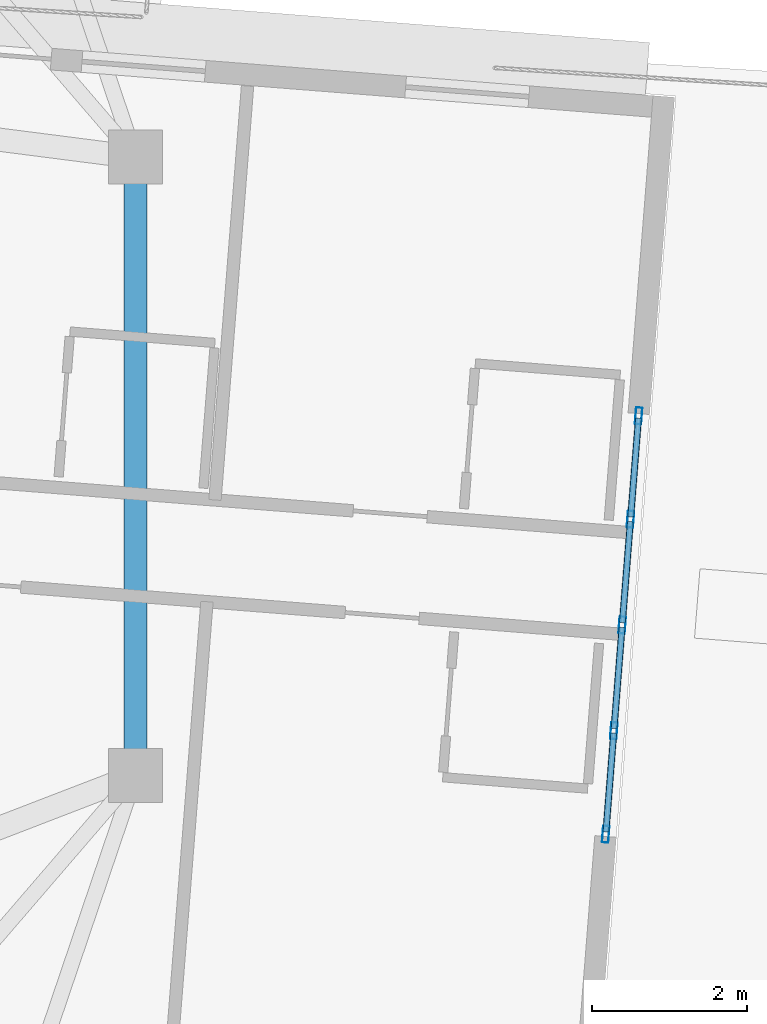
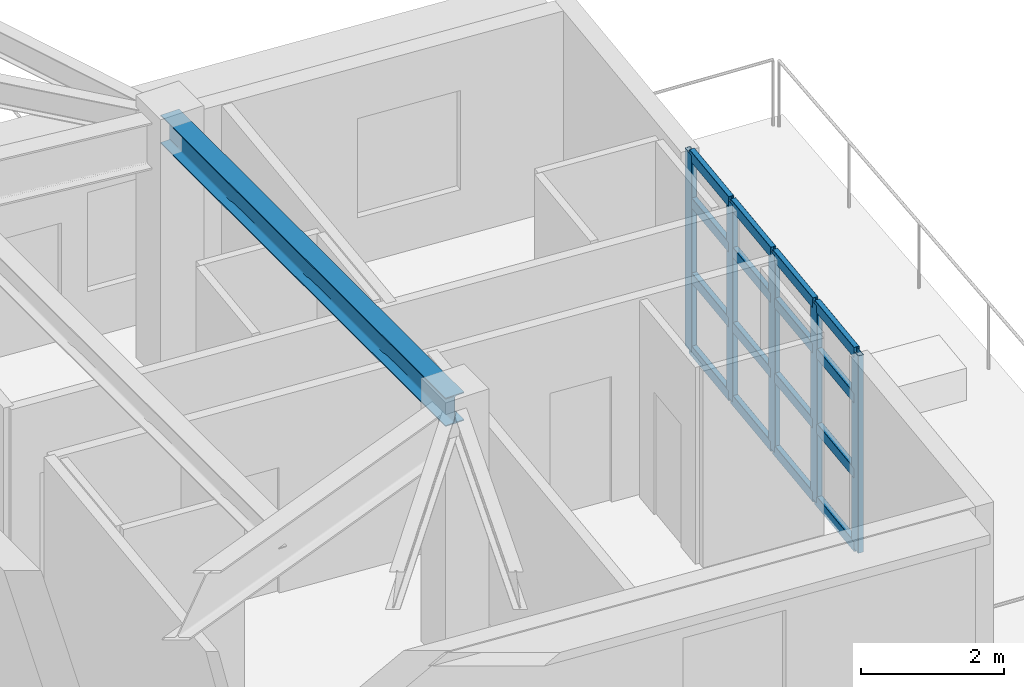
# One storey, part 6 of 23: 21 members, 1 beam, 1 element without a shape of its own.
"""IFC4 building model written with IfcOpenShell, lengths in metres."""

from ifc_helpers import new_model, si_unit, direction, frame, origin, origin_2d, place, context, subcontext, project, spatial, hollow_rectangle, i_section, extrude, material, layer, layer_set, material_profile, profile_set, type_object, element, aggregate, save


model = new_model("IFC4")

# Units and contexts
model_context = context("Model", 3, precision=1e-05, world=origin(), true_north=direction((0.0, 1.0)))
body_context = subcontext(model_context, "Body", "Model", "MODEL_VIEW")
ifc_project = project(units=[si_unit("LENGTHUNIT", "METRE"), si_unit("AREAUNIT", "SQUARE_METRE"), si_unit("VOLUMEUNIT", "CUBIC_METRE"), si_unit("PLANEANGLEUNIT", "RADIAN"), si_unit("MASSUNIT", "GRAM", prefix="KILO")], contexts=[model_context])

# Site, building, storey
site_placement = place(None, origin())
site = spatial("IfcSite", under=ifc_project, at=site_placement, CompositionType="ELEMENT")
building_placement = place(site_placement, origin())
building = spatial("IfcBuilding", under=site, at=building_placement, Name="Qingluan Cross Belvedere", CompositionType="ELEMENT")
storey_placement = place(building_placement, frame((0.0, 0.0, 245.39990234375)))
storey = spatial("IfcBuildingStorey", under=building, at=storey_placement, Name="L61", CompositionType="ELEMENT", Elevation=245.39990234375)

# Curtain wall, members
ifc_material_1 = material(Name="Thermally broken aluminium and Low-E glass", Category="aluminium")
ifc_layer = layer(ifc_material_1, 0.219970703125, Name="UnitisedCW_SkyLobbyHigh")
ifc_layer_set = layer_set([ifc_layer], Name="Thermally broken aluminium and Low-E glass")
curtain_wall_type = type_object("IfcCurtainWallType", Name="UnitisedCW_SkyLobbyHigh", PredefinedType="USERDEFINED", material=ifc_layer_set)
curtain_wall_placement = place(storey_placement, origin())
curtain_wall = element("IfcCurtainWall", 1, at=curtain_wall_placement, inside=storey, type_object=curtain_wall_type, Name="UnitisedCW_SkyLobbyHigh run env:cw:L61:E", ObjectType="UNITISED CURTAIN WALL", PredefinedType="USERDEFINED")
ifc_material_2 = material(Name="Aluminium alloy 6063-T6", Category="aluminium")
ifc_material_profile_1 = material_profile(ifc_material_2, hollow_rectangle(XDim=0.0849609375, YDim=0.219970703125, WallThickness=0.0048828125, InnerFilletRadius=0.0048828125, OuterFilletRadius=0.010009765625, at=origin_2d()), Name="CWM220x85x5")
ifc_profile_set_1 = profile_set([ifc_material_profile_1], Name="Aluminium alloy 6063-T6")
member_type_1 = type_object("IfcMemberType", Name="CWMullion_220", PredefinedType="MULLION", material=ifc_profile_set_1)
member_1_placement = place(storey_placement, frame((25.886474609375, -4.759765625, 0.0), z_axis=(0.0, 0.0, 1.0), x_axis=(-0.996917118636, 0.078461828752, 0.0)))
member_1 = element("IfcMember", 2, at=member_1_placement, type_object=member_type_1, Name="CW-S2 mullion 1", PredefinedType="MULLION", context=body_context, shape_type="SweptSolid", body=[
    extrude(hollow_rectangle(XDim=0.0849609375, YDim=0.219970703125, WallThickness=0.0048828125, InnerFilletRadius=0.0048828125, OuterFilletRadius=0.010009765625, at=origin_2d()), origin(), (0.0, 0.0, 1.0), 3.380126953125),
])
member_2_placement = place(storey_placement, frame((25.99169921875, -3.421875, 0.0), z_axis=(0.0, 0.0, 1.0), x_axis=(-0.996917118636, 0.078461828752, 0.0)))
member_2 = element("IfcMember", 3, at=member_2_placement, type_object=member_type_1, Name="CW-S2 mullion 2", PredefinedType="MULLION", context=body_context, shape_type="SweptSolid", body=[
    extrude(hollow_rectangle(XDim=0.0849609375, YDim=0.219970703125, WallThickness=0.0048828125, InnerFilletRadius=0.0048828125, OuterFilletRadius=0.010009765625, at=origin_2d()), origin(), (0.0, 0.0, 1.0), 3.380126953125),
])
member_3_placement = place(storey_placement, frame((26.099365234375, -2.053955078125, 0.0), z_axis=(0.0, 0.0, 1.0), x_axis=(-0.996917118636, 0.078461828752, 0.0)))
member_3 = element("IfcMember", 4, at=member_3_placement, type_object=member_type_1, Name="CW-S2 mullion 3", PredefinedType="MULLION", context=body_context, shape_type="SweptSolid", body=[
    extrude(hollow_rectangle(XDim=0.0849609375, YDim=0.219970703125, WallThickness=0.0048828125, InnerFilletRadius=0.0048828125, OuterFilletRadius=0.010009765625, at=origin_2d()), origin(), (0.0, 0.0, 1.0), 3.380126953125),
])
member_4_placement = place(storey_placement, frame((26.20703125, -0.686279296875, 0.0), z_axis=(0.0, 0.0, 1.0), x_axis=(-0.996917118636, 0.078461828752, 0.0)))
member_4 = element("IfcMember", 5, at=member_4_placement, type_object=member_type_1, Name="CW-S2 mullion 4", PredefinedType="MULLION", context=body_context, shape_type="SweptSolid", body=[
    extrude(hollow_rectangle(XDim=0.0849609375, YDim=0.219970703125, WallThickness=0.0048828125, InnerFilletRadius=0.0048828125, OuterFilletRadius=0.010009765625, at=origin_2d()), origin(), (0.0, 0.0, 1.0), 3.380126953125),
])
member_5_placement = place(storey_placement, frame((26.312255859375, 0.651611328125, 0.0), z_axis=(0.0, 0.0, 1.0), x_axis=(-0.996917118636, 0.078461828752, 0.0)))
member_5 = element("IfcMember", 6, at=member_5_placement, type_object=member_type_1, Name="CW-S2 mullion 5", PredefinedType="MULLION", context=body_context, shape_type="SweptSolid", body=[
    extrude(hollow_rectangle(XDim=0.0849609375, YDim=0.219970703125, WallThickness=0.0048828125, InnerFilletRadius=0.0048828125, OuterFilletRadius=0.010009765625, at=origin_2d()), origin(), (0.0, 0.0, 1.0), 3.380126953125),
])
ifc_material_3 = material(Name="Aluminium alloy 6063-T6", Category="aluminium")
ifc_material_profile_2 = material_profile(ifc_material_3, hollow_rectangle(XDim=0.0849609375, YDim=0.179931640625, WallThickness=0.00390625, InnerFilletRadius=0.00390625, OuterFilletRadius=0.008056640625, at=origin_2d()), Name="CWT180x85x4")
ifc_profile_set_2 = profile_set([ifc_material_profile_2], Name="Aluminium alloy 6063-T6")
member_type_2 = type_object("IfcMemberType", Name="CWTransom_180", PredefinedType="USERDEFINED", material=ifc_profile_set_2)
member_6_placement = place(storey_placement, frame((25.888671875, -4.729736328125, 0.030029296875), z_axis=(0.078458445574, 0.996917384901, 0.0), x_axis=(-0.996917384901, 0.078458445574, 0.0)))
member_6 = element("IfcMember", 7, at=member_6_placement, type_object=member_type_2, Name="CW-S2 transom 1.1", ObjectType="TRANSOM", PredefinedType="USERDEFINED", context=body_context, shape_type="SweptSolid", body=[
    extrude(hollow_rectangle(XDim=0.0849609375, YDim=0.179931640625, WallThickness=0.00390625, InnerFilletRadius=0.00390625, OuterFilletRadius=0.008056640625, at=origin_2d()), origin(), (0.0, 0.0, 1.0), 1.281982421875),
])
member_7_placement = place(storey_placement, frame((25.888671875, -4.729736328125, 1.2841796875), z_axis=(0.078458445574, 0.996917384901, 0.0), x_axis=(-0.996917384901, 0.078458445574, 0.0)))
member_7 = element("IfcMember", 8, at=member_7_placement, type_object=member_type_2, Name="CW-S2 transom 1.2", ObjectType="TRANSOM", PredefinedType="USERDEFINED", context=body_context, shape_type="SweptSolid", body=[
    extrude(hollow_rectangle(XDim=0.0849609375, YDim=0.179931640625, WallThickness=0.00390625, InnerFilletRadius=0.00390625, OuterFilletRadius=0.008056640625, at=origin_2d()), origin(), (0.0, 0.0, 1.0), 1.281982421875),
])
member_8_placement = place(storey_placement, frame((25.888671875, -4.729736328125, 2.569091796875), z_axis=(0.078458445574, 0.996917384901, 0.0), x_axis=(-0.996917384901, 0.078458445574, 0.0)))
member_8 = element("IfcMember", 9, at=member_8_placement, type_object=member_type_2, Name="CW-S2 transom 1.3", ObjectType="TRANSOM", PredefinedType="USERDEFINED", context=body_context, shape_type="SweptSolid", body=[
    extrude(hollow_rectangle(XDim=0.0849609375, YDim=0.179931640625, WallThickness=0.00390625, InnerFilletRadius=0.00390625, OuterFilletRadius=0.008056640625, at=origin_2d()), origin(), (0.0, 0.0, 1.0), 1.281982421875),
])
member_9_placement = place(storey_placement, frame((25.888671875, -4.729736328125, 3.35009765625), z_axis=(0.078458445574, 0.996917384901, 0.0), x_axis=(-0.996917384901, 0.078458445574, 0.0)))
member_9 = element("IfcMember", 10, at=member_9_placement, type_object=member_type_2, Name="CW-S2 transom 1.4", ObjectType="TRANSOM", PredefinedType="USERDEFINED", context=body_context, shape_type="SweptSolid", body=[
    extrude(hollow_rectangle(XDim=0.0849609375, YDim=0.179931640625, WallThickness=0.00390625, InnerFilletRadius=0.00390625, OuterFilletRadius=0.008056640625, at=origin_2d()), origin(), (0.0, 0.0, 1.0), 1.281982421875),
])
member_10_placement = place(storey_placement, frame((25.993896484375, -3.391845703125, 0.030029296875), z_axis=(0.078532142553, 0.996911582131, 0.0), x_axis=(-0.996911582131, 0.078532142553, 0.0)))
member_10 = element("IfcMember", 11, at=member_10_placement, type_object=member_type_2, Name="CW-S2 transom 2.1", ObjectType="TRANSOM", PredefinedType="USERDEFINED", context=body_context, shape_type="SweptSolid", body=[
    extrude(hollow_rectangle(XDim=0.0849609375, YDim=0.179931640625, WallThickness=0.00390625, InnerFilletRadius=0.00390625, OuterFilletRadius=0.008056640625, at=origin_2d()), origin(), (0.0, 0.0, 1.0), 1.31201171875),
])
member_11_placement = place(storey_placement, frame((25.993896484375, -3.391845703125, 1.2841796875), z_axis=(0.078532142553, 0.996911582131, 0.0), x_axis=(-0.996911582131, 0.078532142553, 0.0)))
member_11 = element("IfcMember", 12, at=member_11_placement, type_object=member_type_2, Name="CW-S2 transom 2.2", ObjectType="TRANSOM", PredefinedType="USERDEFINED", context=body_context, shape_type="SweptSolid", body=[
    extrude(hollow_rectangle(XDim=0.0849609375, YDim=0.179931640625, WallThickness=0.00390625, InnerFilletRadius=0.00390625, OuterFilletRadius=0.008056640625, at=origin_2d()), origin(), (0.0, 0.0, 1.0), 1.31201171875),
])
member_12_placement = place(storey_placement, frame((25.993896484375, -3.391845703125, 2.569091796875), z_axis=(0.078532142553, 0.996911582131, 0.0), x_axis=(-0.996911582131, 0.078532142553, 0.0)))
member_12 = element("IfcMember", 13, at=member_12_placement, type_object=member_type_2, Name="CW-S2 transom 2.3", ObjectType="TRANSOM", PredefinedType="USERDEFINED", context=body_context, shape_type="SweptSolid", body=[
    extrude(hollow_rectangle(XDim=0.0849609375, YDim=0.179931640625, WallThickness=0.00390625, InnerFilletRadius=0.00390625, OuterFilletRadius=0.008056640625, at=origin_2d()), origin(), (0.0, 0.0, 1.0), 1.31201171875),
])
member_13_placement = place(storey_placement, frame((25.993896484375, -3.391845703125, 3.35009765625), z_axis=(0.078532142553, 0.996911582131, 0.0), x_axis=(-0.996911582131, 0.078532142553, 0.0)))
member_13 = element("IfcMember", 14, at=member_13_placement, type_object=member_type_2, Name="CW-S2 transom 2.4", ObjectType="TRANSOM", PredefinedType="USERDEFINED", context=body_context, shape_type="SweptSolid", body=[
    extrude(hollow_rectangle(XDim=0.0849609375, YDim=0.179931640625, WallThickness=0.00390625, InnerFilletRadius=0.00390625, OuterFilletRadius=0.008056640625, at=origin_2d()), origin(), (0.0, 0.0, 1.0), 1.31201171875),
])
member_14_placement = place(storey_placement, frame((26.1015625, -2.024169921875, 0.030029296875), z_axis=(0.078517575934, 0.996912729515, 0.0), x_axis=(-0.996912729515, 0.078517575934, 0.0)))
member_14 = element("IfcMember", 15, at=member_14_placement, type_object=member_type_2, Name="CW-S2 transom 3.1", ObjectType="TRANSOM", PredefinedType="USERDEFINED", context=body_context, shape_type="SweptSolid", body=[
    extrude(hollow_rectangle(XDim=0.0849609375, YDim=0.179931640625, WallThickness=0.00390625, InnerFilletRadius=0.00390625, OuterFilletRadius=0.008056640625, at=origin_2d()), origin(), (0.0, 0.0, 1.0), 1.312255859375),
])
member_15_placement = place(storey_placement, frame((26.1015625, -2.024169921875, 1.2841796875), z_axis=(0.078517575934, 0.996912729515, 0.0), x_axis=(-0.996912729515, 0.078517575934, 0.0)))
member_15 = element("IfcMember", 16, at=member_15_placement, type_object=member_type_2, Name="CW-S2 transom 3.2", ObjectType="TRANSOM", PredefinedType="USERDEFINED", context=body_context, shape_type="SweptSolid", body=[
    extrude(hollow_rectangle(XDim=0.0849609375, YDim=0.179931640625, WallThickness=0.00390625, InnerFilletRadius=0.00390625, OuterFilletRadius=0.008056640625, at=origin_2d()), origin(), (0.0, 0.0, 1.0), 1.312255859375),
])
member_16_placement = place(storey_placement, frame((26.1015625, -2.024169921875, 2.569091796875), z_axis=(0.078517575934, 0.996912729515, 0.0), x_axis=(-0.996912729515, 0.078517575934, 0.0)))
member_16 = element("IfcMember", 17, at=member_16_placement, type_object=member_type_2, Name="CW-S2 transom 3.3", ObjectType="TRANSOM", PredefinedType="USERDEFINED", context=body_context, shape_type="SweptSolid", body=[
    extrude(hollow_rectangle(XDim=0.0849609375, YDim=0.179931640625, WallThickness=0.00390625, InnerFilletRadius=0.00390625, OuterFilletRadius=0.008056640625, at=origin_2d()), origin(), (0.0, 0.0, 1.0), 1.312255859375),
])
member_17_placement = place(storey_placement, frame((26.1015625, -2.024169921875, 3.35009765625), z_axis=(0.078517575934, 0.996912729515, 0.0), x_axis=(-0.996912729515, 0.078517575934, 0.0)))
member_17 = element("IfcMember", 18, at=member_17_placement, type_object=member_type_2, Name="CW-S2 transom 3.4", ObjectType="TRANSOM", PredefinedType="USERDEFINED", context=body_context, shape_type="SweptSolid", body=[
    extrude(hollow_rectangle(XDim=0.0849609375, YDim=0.179931640625, WallThickness=0.00390625, InnerFilletRadius=0.00390625, OuterFilletRadius=0.008056640625, at=origin_2d()), origin(), (0.0, 0.0, 1.0), 1.312255859375),
])
member_18_placement = place(storey_placement, frame((26.209228515625, -0.65625, 0.030029296875), z_axis=(0.078473343422, 0.996916212313, 0.0), x_axis=(-0.996916212313, 0.078473343422, 0.0)))
member_18 = element("IfcMember", 19, at=member_18_placement, type_object=member_type_2, Name="CW-S2 transom 4.1", ObjectType="TRANSOM", PredefinedType="USERDEFINED", context=body_context, shape_type="SweptSolid", body=[
    extrude(hollow_rectangle(XDim=0.0849609375, YDim=0.179931640625, WallThickness=0.00390625, InnerFilletRadius=0.00390625, OuterFilletRadius=0.008056640625, at=origin_2d()), origin(), (0.0, 0.0, 1.0), 1.28173828125),
])
member_19_placement = place(storey_placement, frame((26.209228515625, -0.65625, 1.2841796875), z_axis=(0.078473343422, 0.996916212313, 0.0), x_axis=(-0.996916212313, 0.078473343422, 0.0)))
member_19 = element("IfcMember", 20, at=member_19_placement, type_object=member_type_2, Name="CW-S2 transom 4.2", ObjectType="TRANSOM", PredefinedType="USERDEFINED", context=body_context, shape_type="SweptSolid", body=[
    extrude(hollow_rectangle(XDim=0.0849609375, YDim=0.179931640625, WallThickness=0.00390625, InnerFilletRadius=0.00390625, OuterFilletRadius=0.008056640625, at=origin_2d()), origin(), (0.0, 0.0, 1.0), 1.28173828125),
])
member_20_placement = place(storey_placement, frame((26.209228515625, -0.65625, 2.569091796875), z_axis=(0.078473343422, 0.996916212313, 0.0), x_axis=(-0.996916212313, 0.078473343422, 0.0)))
member_20 = element("IfcMember", 21, at=member_20_placement, type_object=member_type_2, Name="CW-S2 transom 4.3", ObjectType="TRANSOM", PredefinedType="USERDEFINED", context=body_context, shape_type="SweptSolid", body=[
    extrude(hollow_rectangle(XDim=0.0849609375, YDim=0.179931640625, WallThickness=0.00390625, InnerFilletRadius=0.00390625, OuterFilletRadius=0.008056640625, at=origin_2d()), origin(), (0.0, 0.0, 1.0), 1.28173828125),
])
member_21_placement = place(storey_placement, frame((26.209228515625, -0.65625, 3.35009765625), z_axis=(0.078473343422, 0.996916212313, 0.0), x_axis=(-0.996916212313, 0.078473343422, 0.0)))
member_21 = element("IfcMember", 22, at=member_21_placement, type_object=member_type_2, Name="CW-S2 transom 4.4", ObjectType="TRANSOM", PredefinedType="USERDEFINED", context=body_context, shape_type="SweptSolid", body=[
    extrude(hollow_rectangle(XDim=0.0849609375, YDim=0.179931640625, WallThickness=0.00390625, InnerFilletRadius=0.00390625, OuterFilletRadius=0.008056640625, at=origin_2d()), origin(), (0.0, 0.0, 1.0), 1.28173828125),
])
aggregate(curtain_wall, [member_1, member_2, member_3, member_4, member_5, member_6, member_7, member_8, member_9, member_10, member_11, member_12, member_13, member_14, member_15, member_16, member_17, member_18, member_19, member_20, member_21])

# Beam
ifc_material_4 = material(Name="Steel Q420GJB", Category="steel")
ifc_material_profile_3 = material_profile(ifc_material_4, i_section(OverallWidth=0.300048828125, OverallDepth=0.488037109375, WebThickness=0.010986328125, FlangeThickness=0.01806640625, FilletRadius=0.02197265625, at=origin_2d()), Name="HM488x300x11x18")
ifc_profile_set_3 = profile_set([ifc_material_profile_3], Name="Steel Q420GJB")
beam_type = type_object("IfcBeamType", Name="Steel_Beam_HM488x300x11x18", PredefinedType="BEAM", material=ifc_profile_set_3)
beam_placement = place(storey_placement, frame((19.800048828125, -4.0, 4.05615234375), z_axis=(0.0, 1.0, 0.0), x_axis=(-1.0, 0.0, 0.0)))
element("IfcBeam", 23, at=beam_placement, inside=storey, type_object=beam_type, Name="Arm E tie L61", PredefinedType="BEAM", context=body_context, shape_type="SweptSolid", body=[
    extrude(i_section(OverallWidth=0.300048828125, OverallDepth=0.488037109375, WebThickness=0.010986328125, FlangeThickness=0.01806640625, FilletRadius=0.02197265625, at=origin_2d()), origin(), (0.0, 0.0, 1.0), 8.0),
])

save(model, "model.ifc")
